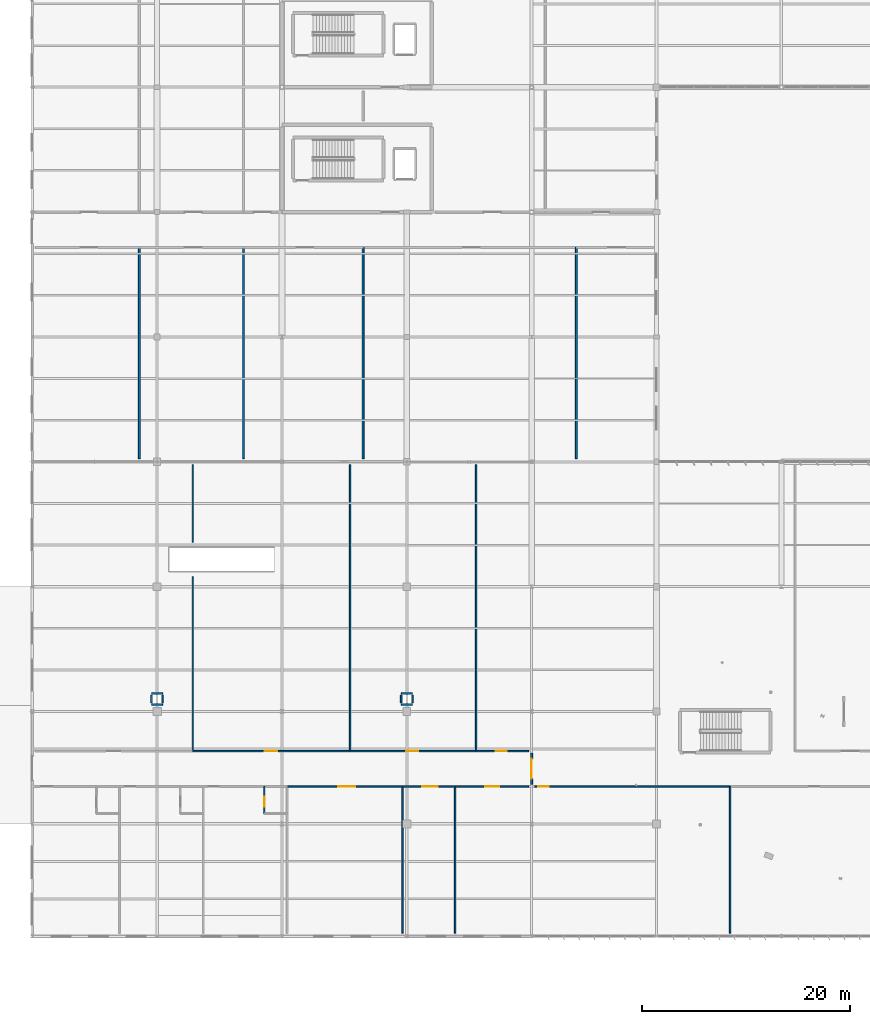
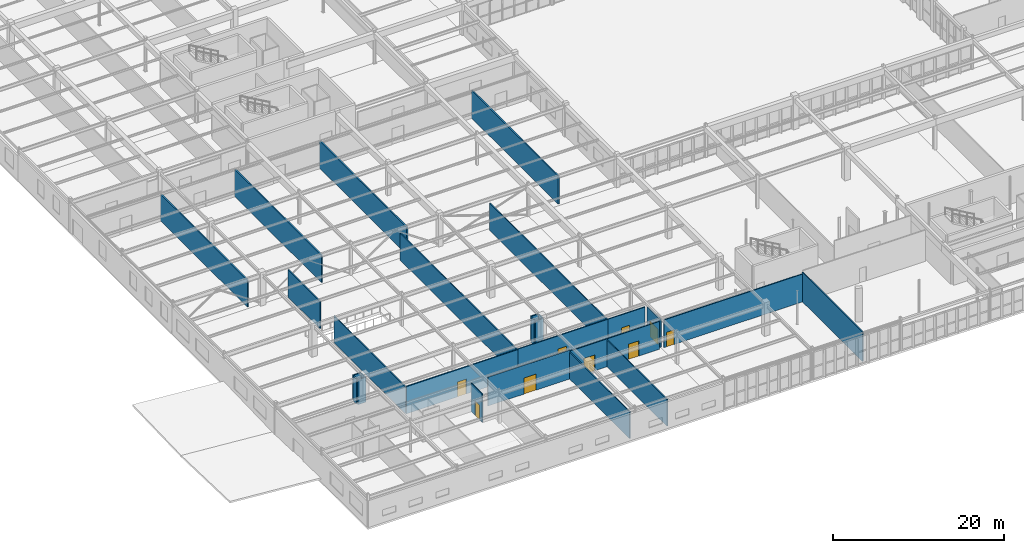
# One storey, part 160 of 199: 28 walls, 9 doors, 9 openings.
"""IFC4 building model written with IfcOpenShell, lengths in metres."""

from ifc_helpers import new_model, si_unit, direction, frame, frame_2d, origin, place, context, subcontext, project, spatial, rectangle, extrude, material, layer, layer_set, type_object, element, fill, save


model = new_model("IFC4")

# Units and contexts
model_context = context("Model", 3, precision=1e-05, world=origin(), true_north=direction((0.0, 1.0)))
body_context = subcontext(model_context, "Body", "Model", "MODEL_VIEW")
ifc_project = project(units=[si_unit("LENGTHUNIT", "METRE"), si_unit("AREAUNIT", "SQUARE_METRE"), si_unit("VOLUMEUNIT", "CUBIC_METRE"), si_unit("PLANEANGLEUNIT", "RADIAN"), si_unit("MASSUNIT", "GRAM", prefix="KILO")], contexts=[model_context])

# Site, building, storey
site_placement = place(None, origin())
site = spatial("IfcSite", under=ifc_project, at=site_placement, CompositionType="ELEMENT")
building_placement = place(site_placement, origin())
building = spatial("IfcBuilding", under=site, at=building_placement, Name="Tarnwether General Hospital", CompositionType="ELEMENT")
storey_placement = place(building_placement, origin())
storey = spatial("IfcBuildingStorey", under=building, at=storey_placement, Name="L00", CompositionType="ELEMENT", Elevation=0.0)

# Wall, opening, door
ifc_material_1 = material(Name="Gypsum plasterboard")
ifc_layer_1 = layer(ifc_material_1, 0.1201171875)
ifc_layer_set_1 = layer_set([ifc_layer_1], Name="Gypsum plasterboard")
wall_type_1 = type_object("IfcWallType", Name="WL-PT120", PredefinedType="PARTITIONING", material=ifc_layer_set_1)
wall_1_placement = place(storey_placement, frame((22.303955078125, 11.800048828125, 0.0), z_axis=(0.0, 0.0, 1.0), x_axis=(0.0, 1.0, 0.0)))
wall_1 = element("IfcWall", 1, at=wall_1_placement, inside=storey, type_object=wall_type_1, Name="Interior Partition PT-L00-0071", PredefinedType="PARTITIONING", context=body_context, shape_type="SweptSolid", body=[
    extrude(rectangle(XDim=2.599853515625, YDim=0.1201171875, at=frame_2d((1.2998046875, 0.0))), origin(), (0.0, 0.0, 1.0), 4.073974609375),
])
opening_1_placement = place(wall_1_placement, frame((0.64990234375, 0.0, 0.0)))
opening_1 = element("IfcOpeningElement", 2, at=opening_1_placement, cuts=wall_1, Name="Opening D-10", PredefinedType="OPENING", context=body_context, shape_type="SweptSolid", body=[
    extrude(rectangle(XDim=0.9599609375, YDim=2.06005859375, at=frame_2d((0.47998046875, 1.030029296875))), frame((0.0, 0.070068359375, 0.0), z_axis=(0.0, -1.0, 0.0), x_axis=(1.0, 0.0, 0.0)), (0.0, 0.0, 1.0), 0.14013671875),
])
ifc_material_2 = material(Name="Anodised aluminium", Category="aluminium")
door_type_1 = type_object("IfcDoorType", Name="DR-IN10", OperationType="NOTDEFINED", PredefinedType="DOOR", material=ifc_material_2)
door_1_placement = place(opening_1_placement, origin())
door_1 = element("IfcDoor", 3, at=door_1_placement, inside=storey, type_object=door_type_1, Name="Interior Door DR-L00-0041", OperationType="SINGLE_SWING_LEFT", OverallHeight=2.06005859375, OverallWidth=0.9599609375, PredefinedType="DOOR", context=body_context, shape_type="SweptSolid", body=[
    extrude(rectangle(XDim=0.9599609375, YDim=2.06005859375, at=frame_2d((0.47998046875, 1.030029296875))), frame((0.0, 0.02490234375, 0.0), z_axis=(0.0, -1.0, 0.0), x_axis=(1.0, 0.0, 0.0)), (0.0, 0.0, 1.0), 0.050048828125),
])
fill(opening_1, door_1)

ifc_material_3 = material(Name="Gypsum plasterboard")
ifc_layer_2 = layer(ifc_material_3, 0.139892578125)
ifc_layer_set_2 = layer_set([ifc_layer_2], Name="Gypsum plasterboard")
wall_type_2 = type_object("IfcWallType", Name="WL-PT140", PredefinedType="PARTITIONING", material=ifc_layer_set_2)
wall_2_placement = place(storey_placement, frame((24.50390625, 14.39990234375, 0.0), z_axis=(0.0, 0.0, 1.0), x_axis=(1.0, 0.0, 0.0)))
wall_2 = element("IfcWall", 4, at=wall_2_placement, inside=storey, type_object=wall_type_2, Name="Interior Partition PT-L00-0075", PredefinedType="PARTITIONING", context=body_context, shape_type="SweptSolid", body=[
    extrude(rectangle(XDim=11.093994140625, YDim=0.139892578125, at=frame_2d((5.546875, 0.0))), origin(), (0.0, 0.0, 1.0), 4.123046875),
])
opening_2_placement = place(wall_2_placement, frame((4.89697265625, 0.0, 0.0)))
opening_2 = element("IfcOpeningElement", 5, at=opening_2_placement, cuts=wall_2, Name="Opening SD-02", PredefinedType="OPENING", context=body_context, shape_type="SweptSolid", body=[
    extrude(rectangle(XDim=1.6201171875, YDim=2.300048828125, at=frame_2d((0.81005859375, 1.14990234375))), frame((0.0, 0.080078125, 0.0), z_axis=(0.0, -1.0, 0.0), x_axis=(1.0, 0.0, 0.0)), (0.0, 0.0, 1.0), 0.159912109375),
])
ifc_material_4 = material(Name="Anodised aluminium", Category="aluminium")
door_type_2 = type_object("IfcDoorType", Name="DR-OR02", OperationType="NOTDEFINED", PredefinedType="DOOR", material=ifc_material_4)
door_2_placement = place(opening_2_placement, origin())
door_2 = element("IfcDoor", 6, at=door_2_placement, inside=storey, type_object=door_type_2, Name="Interior Door DR-L00-0043", OperationType="SLIDING_TO_RIGHT", OverallHeight=2.300048828125, OverallWidth=1.6201171875, PredefinedType="DOOR", context=body_context, shape_type="SweptSolid", body=[
    extrude(rectangle(XDim=1.6201171875, YDim=2.300048828125, at=frame_2d((0.81005859375, 1.14990234375))), frame((0.0, 0.02490234375, 0.0), z_axis=(0.0, -1.0, 0.0), x_axis=(1.0, 0.0, 0.0)), (0.0, 0.0, 1.0), 0.050048828125),
])
fill(opening_2, door_2)

# Wall
wall_3_placement = place(storey_placement, frame((35.597900390625, 0.300048828125, 0.0), z_axis=(0.0, 0.0, 1.0), x_axis=(0.0, 1.0, 0.0)))
element("IfcWall", 7, at=wall_3_placement, inside=storey, type_object=wall_type_2, Name="Interior Partition PT-L00-0076", PredefinedType="PARTITIONING", context=body_context, shape_type="SweptSolid", body=[
    extrude(rectangle(XDim=14.099853515625, YDim=0.139892578125, at=frame_2d((7.0498046875, 0.0))), origin(), (0.0, 0.0, 1.0), 3.822998046875),
])

# Wall, opening, door
wall_4_placement = place(storey_placement, frame((35.597900390625, 14.39990234375, 0.0), z_axis=(0.0, 0.0, 1.0), x_axis=(1.0, 0.0, 0.0)))
wall_4 = element("IfcWall", 8, at=wall_4_placement, inside=storey, type_object=wall_type_2, Name="Interior Partition PT-L00-0077", PredefinedType="PARTITIONING", context=body_context, shape_type="SweptSolid", body=[
    extrude(rectangle(XDim=5.0419921875, YDim=0.139892578125, at=frame_2d((2.52099609375, 0.0))), origin(), (0.0, 0.0, 1.0), 3.969970703125),
])
opening_3_placement = place(wall_4_placement, frame((1.87109375, 0.0, 0.0)))
opening_3 = element("IfcOpeningElement", 9, at=opening_3_placement, cuts=wall_4, Name="Opening SD-03", PredefinedType="OPENING", context=body_context, shape_type="SweptSolid", body=[
    extrude(rectangle(XDim=1.47998046875, YDim=2.260009765625, at=frame_2d((0.739990234375, 1.1298828125))), frame((0.0, 0.080078125, 0.0), z_axis=(0.0, -1.0, 0.0), x_axis=(1.0, 0.0, 0.0)), (0.0, 0.0, 1.0), 0.159912109375),
])
ifc_material_5 = material(Name="Anodised aluminium", Category="aluminium")
door_type_3 = type_object("IfcDoorType", Name="DR-OR03", OperationType="NOTDEFINED", PredefinedType="DOOR", material=ifc_material_5)
door_3_placement = place(opening_3_placement, origin())
door_3 = element("IfcDoor", 10, at=door_3_placement, inside=storey, type_object=door_type_3, Name="Interior Door DR-L00-0044", OperationType="SLIDING_TO_LEFT", OverallHeight=2.260009765625, OverallWidth=1.47998046875, PredefinedType="DOOR", context=body_context, shape_type="SweptSolid", body=[
    extrude(rectangle(XDim=1.47998046875, YDim=2.260009765625, at=frame_2d((0.739990234375, 1.1298828125))), frame((0.0, 0.02490234375, 0.0), z_axis=(0.0, -1.0, 0.0), x_axis=(1.0, 0.0, 0.0)), (0.0, 0.0, 1.0), 0.050048828125),
])
fill(opening_3, door_3)

# Wall
wall_5_placement = place(storey_placement, frame((40.639892578125, 0.300048828125, 0.0), z_axis=(0.0, 0.0, 1.0), x_axis=(0.0, 1.0, 0.0)))
element("IfcWall", 11, at=wall_5_placement, inside=storey, type_object=wall_type_2, Name="Interior Partition PT-L00-0078", PredefinedType="PARTITIONING", context=body_context, shape_type="SweptSolid", body=[
    extrude(rectangle(XDim=14.099853515625, YDim=0.139892578125, at=frame_2d((7.0498046875, 0.0))), origin(), (0.0, 0.0, 1.0), 3.827880859375),
])

# Wall, opening, door
wall_6_placement = place(storey_placement, frame((40.639892578125, 14.39990234375, 0.0), z_axis=(0.0, 0.0, 1.0), x_axis=(1.0, 0.0, 0.0)))
wall_6 = element("IfcWall", 12, at=wall_6_placement, inside=storey, type_object=wall_type_2, Name="Interior Partition PT-L00-0079", PredefinedType="PARTITIONING", context=body_context, shape_type="SweptSolid", body=[
    extrude(rectangle(XDim=7.06005859375, YDim=0.139892578125, at=frame_2d((3.530029296875, 0.0))), origin(), (0.0, 0.0, 1.0), 3.972900390625),
])
opening_4_placement = place(wall_6_placement, frame((2.8798828125, 0.0, 0.0)))
opening_4 = element("IfcOpeningElement", 13, at=opening_4_placement, cuts=wall_6, Name="Opening D-02", PredefinedType="OPENING", context=body_context, shape_type="SweptSolid", body=[
    extrude(rectangle(XDim=1.360107421875, YDim=2.179931640625, at=frame_2d((0.68017578125, 1.08984375))), frame((0.0, 0.080078125, 0.0), z_axis=(0.0, -1.0, 0.0), x_axis=(1.0, 0.0, 0.0)), (0.0, 0.0, 1.0), 0.159912109375),
])
ifc_material_6 = material(Name="Anodised aluminium", Category="aluminium")
door_type_4 = type_object("IfcDoorType", Name="DR-IN02", OperationType="NOTDEFINED", PredefinedType="DOOR", material=ifc_material_6)
door_4_placement = place(opening_4_placement, origin())
door_4 = element("IfcDoor", 14, at=door_4_placement, inside=storey, type_object=door_type_4, Name="Interior Door DR-L00-0045", OperationType="SINGLE_SWING_LEFT", OverallHeight=2.179931640625, OverallWidth=1.360107421875, PredefinedType="DOOR", context=body_context, shape_type="SweptSolid", body=[
    extrude(rectangle(XDim=1.360107421875, YDim=2.179931640625, at=frame_2d((0.68017578125, 1.08984375))), frame((0.0, 0.02490234375, 0.0), z_axis=(0.0, -1.0, 0.0), x_axis=(1.0, 0.0, 0.0)), (0.0, 0.0, 1.0), 0.050048828125),
])
fill(opening_4, door_4)

# Walls
wall_7_placement = place(storey_placement, frame((15.427978515625, 17.800048828125, 0.0), z_axis=(0.0, 0.0, 1.0), x_axis=(0.0, 1.0, 0.0)))
element("IfcWall", 15, at=wall_7_placement, inside=storey, type_object=wall_type_2, Name="Interior Partition PT-L00-0081", PredefinedType="PARTITIONING", context=body_context, shape_type="SweptSolid", body=[
    extrude(rectangle(XDim=16.75, YDim=0.139892578125, at=frame_2d((8.375, 0.0))), origin(), (0.0, 0.0, 1.0), 3.822998046875),
])
wall_8_placement = place(storey_placement, frame((15.427978515625, 37.85009765625, 0.0), z_axis=(0.0, 0.0, 1.0), x_axis=(0.0, 1.0, 0.0)))
element("IfcWall", 16, at=wall_8_placement, inside=storey, type_object=wall_type_2, Name="Interior Partition PT-L00-0082", PredefinedType="PARTITIONING", context=body_context, shape_type="SweptSolid", body=[
    extrude(rectangle(XDim=7.449951171875, YDim=0.139892578125, at=frame_2d((3.72509765625, 0.0))), origin(), (0.0, 0.0, 1.0), 3.89697265625),
])

# Wall, opening, door
wall_9_placement = place(storey_placement, frame((15.427978515625, 17.800048828125, 0.0), z_axis=(0.0, 0.0, 1.0), x_axis=(1.0, 0.0, 0.0)))
wall_9 = element("IfcWall", 17, at=wall_9_placement, inside=storey, type_object=wall_type_2, Name="Interior Partition PT-L00-0083", PredefinedType="PARTITIONING", context=body_context, shape_type="SweptSolid", body=[
    extrude(rectangle(XDim=15.126953125, YDim=0.139892578125, at=frame_2d((7.5634765625, 0.0))), origin(), (0.0, 0.0, 1.0), 3.902099609375),
])
opening_5_placement = place(wall_9_placement, frame((6.9140625, 0.0, 0.0)))
opening_5 = element("IfcOpeningElement", 18, at=opening_5_placement, cuts=wall_9, Name="Opening D-05", PredefinedType="OPENING", context=body_context, shape_type="SweptSolid", body=[
    extrude(rectangle(XDim=1.199951171875, YDim=2.1201171875, at=frame_2d((0.60009765625, 1.06005859375))), frame((0.0, 0.080078125, 0.0), z_axis=(0.0, -1.0, 0.0), x_axis=(1.0, 0.0, 0.0)), (0.0, 0.0, 1.0), 0.159912109375),
])
ifc_material_7 = material(Name="Anodised aluminium", Category="aluminium")
door_type_5 = type_object("IfcDoorType", Name="DR-IN05", OperationType="NOTDEFINED", PredefinedType="DOOR", material=ifc_material_7)
door_5_placement = place(opening_5_placement, origin())
door_5 = element("IfcDoor", 19, at=door_5_placement, inside=storey, type_object=door_type_5, Name="Interior Door DR-L00-0047", OperationType="SINGLE_SWING_LEFT", OverallHeight=2.1201171875, OverallWidth=1.199951171875, PredefinedType="DOOR", context=body_context, shape_type="SweptSolid", body=[
    extrude(rectangle(XDim=1.199951171875, YDim=2.1201171875, at=frame_2d((0.60009765625, 1.06005859375))), frame((0.0, 0.02490234375, 0.0), z_axis=(0.0, -1.0, 0.0), x_axis=(1.0, 0.0, 0.0)), (0.0, 0.0, 1.0), 0.050048828125),
])
fill(opening_5, door_5)

# Wall
wall_10_placement = place(storey_placement, frame((30.554931640625, 17.800048828125, 0.0), z_axis=(0.0, 0.0, 1.0), x_axis=(0.0, 1.0, 0.0)))
element("IfcWall", 20, at=wall_10_placement, inside=storey, type_object=wall_type_2, Name="Interior Partition PT-L00-0084", PredefinedType="PARTITIONING", context=body_context, shape_type="SweptSolid", body=[
    extrude(rectangle(XDim=27.5, YDim=0.139892578125, at=frame_2d((13.75, 0.0))), origin(), (0.0, 0.0, 1.0), 3.827880859375),
])

# Wall, opening, door
wall_11_placement = place(storey_placement, frame((30.554931640625, 17.800048828125, 0.0), z_axis=(0.0, 0.0, 1.0), x_axis=(1.0, 0.0, 0.0)))
wall_11 = element("IfcWall", 21, at=wall_11_placement, inside=storey, type_object=wall_type_2, Name="Interior Partition PT-L00-0085", PredefinedType="PARTITIONING", context=body_context, shape_type="SweptSolid", body=[
    extrude(rectangle(XDim=12.10205078125, YDim=0.139892578125, at=frame_2d((6.051025390625, 0.0))), origin(), (0.0, 0.0, 1.0), 3.969970703125),
])
opening_6_placement = place(wall_11_placement, frame((5.40087890625, 0.0, 0.0)))
opening_6 = element("IfcOpeningElement", 22, at=opening_6_placement, cuts=wall_11, Name="Opening D-07", PredefinedType="OPENING", context=body_context, shape_type="SweptSolid", body=[
    extrude(rectangle(XDim=1.1201171875, YDim=2.080078125, at=frame_2d((0.56005859375, 1.0400390625))), frame((0.0, 0.080078125, 0.0), z_axis=(0.0, -1.0, 0.0), x_axis=(1.0, 0.0, 0.0)), (0.0, 0.0, 1.0), 0.159912109375),
])
ifc_material_8 = material(Name="Anodised aluminium", Category="aluminium")
door_type_6 = type_object("IfcDoorType", Name="DR-IN07", OperationType="NOTDEFINED", PredefinedType="DOOR", material=ifc_material_8)
door_6_placement = place(opening_6_placement, origin())
door_6 = element("IfcDoor", 23, at=door_6_placement, inside=storey, type_object=door_type_6, Name="Interior Door DR-L00-0048", OperationType="SINGLE_SWING_RIGHT", OverallHeight=2.080078125, OverallWidth=1.1201171875, PredefinedType="DOOR", context=body_context, shape_type="SweptSolid", body=[
    extrude(rectangle(XDim=1.1201171875, YDim=2.080078125, at=frame_2d((0.56005859375, 1.0400390625))), frame((0.0, 0.02490234375, 0.0), z_axis=(0.0, -1.0, 0.0), x_axis=(1.0, 0.0, 0.0)), (0.0, 0.0, 1.0), 0.050048828125),
])
fill(opening_6, door_6)

# Wall
wall_12_placement = place(storey_placement, frame((42.656982421875, 17.800048828125, 0.0), z_axis=(0.0, 0.0, 1.0), x_axis=(0.0, 1.0, 0.0)))
element("IfcWall", 24, at=wall_12_placement, inside=storey, type_object=wall_type_2, Name="Interior Partition PT-L00-0086", PredefinedType="PARTITIONING", context=body_context, shape_type="SweptSolid", body=[
    extrude(rectangle(XDim=27.5, YDim=0.139892578125, at=frame_2d((13.75, 0.0))), origin(), (0.0, 0.0, 1.0), 3.89697265625),
])

# Wall, opening, door
wall_13_placement = place(storey_placement, frame((42.656982421875, 17.800048828125, 0.0), z_axis=(0.0, 0.0, 1.0), x_axis=(1.0, 0.0, 0.0)))
wall_13 = element("IfcWall", 25, at=wall_13_placement, inside=storey, type_object=wall_type_2, Name="Interior Partition PT-L00-0087", PredefinedType="PARTITIONING", context=body_context, shape_type="SweptSolid", body=[
    extrude(rectangle(XDim=5.04296875, YDim=0.139892578125, at=frame_2d((2.521484375, 0.0))), origin(), (0.0, 0.0, 1.0), 3.972900390625),
])
opening_7_placement = place(wall_13_placement, frame((1.87109375, 0.0, 0.0)))
opening_7 = element("IfcOpeningElement", 26, at=opening_7_placement, cuts=wall_13, Name="Opening D-08", PredefinedType="OPENING", context=body_context, shape_type="SweptSolid", body=[
    extrude(rectangle(XDim=1.06005859375, YDim=2.10009765625, at=frame_2d((0.530029296875, 1.050048828125))), frame((0.0, 0.080078125, 0.0), z_axis=(0.0, -1.0, 0.0), x_axis=(1.0, 0.0, 0.0)), (0.0, 0.0, 1.0), 0.159912109375),
])
ifc_material_9 = material(Name="Anodised aluminium", Category="aluminium")
door_type_7 = type_object("IfcDoorType", Name="DR-IN08", OperationType="NOTDEFINED", PredefinedType="DOOR", material=ifc_material_9)
door_7_placement = place(opening_7_placement, origin())
door_7 = element("IfcDoor", 27, at=door_7_placement, inside=storey, type_object=door_type_7, Name="Interior Door DR-L00-0049", OperationType="SINGLE_SWING_LEFT", OverallHeight=2.10009765625, OverallWidth=1.06005859375, PredefinedType="DOOR", context=body_context, shape_type="SweptSolid", body=[
    extrude(rectangle(XDim=1.06005859375, YDim=2.10009765625, at=frame_2d((0.530029296875, 1.050048828125))), frame((0.0, 0.02490234375, 0.0), z_axis=(0.0, -1.0, 0.0), x_axis=(1.0, 0.0, 0.0)), (0.0, 0.0, 1.0), 0.050048828125),
])
fill(opening_7, door_7)

wall_14_placement = place(storey_placement, frame((48.300048828125, 14.39990234375, 0.0), z_axis=(0.0, 0.0, 1.0), x_axis=(1.0, 0.0, 0.0)))
wall_14 = element("IfcWall", 28, at=wall_14_placement, inside=storey, type_object=wall_type_2, Name="Interior Partition PT-L00-0108", PredefinedType="PARTITIONING", context=body_context, shape_type="SweptSolid", body=[
    extrude(rectangle(XDim=18.764892578125, YDim=0.139892578125, at=frame_2d((9.38232421875, 0.0))), origin(), (0.0, 0.0, 1.0), 3.972900390625),
])
opening_8_placement = place(wall_14_placement, frame((0.320068359375, 0.0, 0.0)))
opening_8 = element("IfcOpeningElement", 29, at=opening_8_placement, cuts=wall_14, Name="Opening D-09", PredefinedType="OPENING", context=body_context, shape_type="SweptSolid", body=[
    extrude(rectangle(XDim=1.02001953125, YDim=2.080078125, at=frame_2d((0.510009765625, 1.0400390625))), frame((0.0, 0.080078125, 0.0), z_axis=(0.0, -1.0, 0.0), x_axis=(1.0, 0.0, 0.0)), (0.0, 0.0, 1.0), 0.159912109375),
])
ifc_material_10 = material(Name="Anodised aluminium", Category="aluminium")
door_type_8 = type_object("IfcDoorType", Name="DR-IN09", OperationType="NOTDEFINED", PredefinedType="DOOR", material=ifc_material_10)
door_8_placement = place(opening_8_placement, origin())
door_8 = element("IfcDoor", 30, at=door_8_placement, inside=storey, type_object=door_type_8, Name="Interior Door DR-L00-0061", OperationType="SINGLE_SWING_LEFT", OverallHeight=2.080078125, OverallWidth=1.02001953125, PredefinedType="DOOR", context=body_context, shape_type="SweptSolid", body=[
    extrude(rectangle(XDim=1.02001953125, YDim=2.080078125, at=frame_2d((0.510009765625, 1.0400390625))), frame((0.0, 0.02490234375, 0.0), z_axis=(0.0, -1.0, 0.0), x_axis=(1.0, 0.0, 0.0)), (0.0, 0.0, 1.0), 0.050048828125),
])
fill(opening_8, door_8)

# Walls
wall_15_placement = place(storey_placement, frame((67.06494140625, 0.300048828125, 0.0), z_axis=(0.0, 0.0, 1.0), x_axis=(0.0, 1.0, 0.0)))
element("IfcWall", 31, at=wall_15_placement, inside=storey, type_object=wall_type_2, Name="Interior Partition PT-L00-0109", PredefinedType="PARTITIONING", context=body_context, shape_type="SweptSolid", body=[
    extrude(rectangle(XDim=14.099853515625, YDim=0.139892578125, at=frame_2d((7.0498046875, 0.0))), origin(), (0.0, 0.0, 1.0), 4.22802734375),
])
ifc_material_11 = material(Name="Gypsum plasterboard")
ifc_layer_3 = layer(ifc_material_11, 0.159912109375)
ifc_layer_set_3 = layer_set([ifc_layer_3], Name="Gypsum plasterboard")
wall_type_3 = type_object("IfcWallType", Name="WL-PT160", PredefinedType="PARTITIONING", material=ifc_layer_set_3)
for number, where, z_axis, x_axis, name in (
    (32, (11.469970703125, 22.27001953125, 0.0), (0.0, 0.0, 1.0), (1.0, 0.0, 0.0), "Service Riser Enclosure SL-L00-V2A S"),
    (33, (12.530029296875, 23.330078125, 0.0), (0.0, 0.0, 1.0), (-1.0, 0.0, 0.0), "Service Riser Enclosure SL-L00-V2A N"),
):
    element("IfcWall", number, at=place(storey_placement, frame(where, z_axis=z_axis, x_axis=x_axis)), inside=storey, type_object=wall_type_3, Name=name, PredefinedType="PARTITIONING", context=body_context, shape_type="SweptSolid", body=[
        extrude(rectangle(XDim=1.06005859375, YDim=0.159912109375, at=frame_2d((0.530029296875, 0.0))), origin(), (0.0, 0.0, 1.0), 3.550048828125),
    ])
for number, where, z_axis, x_axis, name in (
    (34, (11.469970703125, 23.169921875, 0.0), (0.0, 0.0, 1.0), (0.0, -1.0, 0.0), "Service Riser Enclosure SL-L00-V2A W"),
    (35, (12.530029296875, 22.429931640625, 0.0), (0.0, 0.0, 1.0), (0.0, 1.0, 0.0), "Service Riser Enclosure SL-L00-V2A E"),
):
    element("IfcWall", number, at=place(storey_placement, frame(where, z_axis=z_axis, x_axis=x_axis)), inside=storey, type_object=wall_type_3, Name=name, PredefinedType="PARTITIONING", context=body_context, shape_type="SweptSolid", body=[
        extrude(rectangle(XDim=0.739990234375, YDim=0.159912109375, at=frame_2d((0.3701171875, 0.0))), origin(), (0.0, 0.0, 1.0), 3.550048828125),
    ])
for number, where, z_axis, x_axis, name in (
    (36, (35.469970703125, 22.27001953125, 0.0), (0.0, 0.0, 1.0), (1.0, 0.0, 0.0), "Service Riser Enclosure SL-L00-V2B S"),
    (37, (36.530029296875, 23.330078125, 0.0), (0.0, 0.0, 1.0), (-1.0, 0.0, 0.0), "Service Riser Enclosure SL-L00-V2B N"),
):
    element("IfcWall", number, at=place(storey_placement, frame(where, z_axis=z_axis, x_axis=x_axis)), inside=storey, type_object=wall_type_3, Name=name, PredefinedType="PARTITIONING", context=body_context, shape_type="SweptSolid", body=[
        extrude(rectangle(XDim=1.06005859375, YDim=0.159912109375, at=frame_2d((0.530029296875, 0.0))), origin(), (0.0, 0.0, 1.0), 3.550048828125),
    ])
for number, where, z_axis, x_axis, name in (
    (38, (35.469970703125, 23.169921875, 0.0), (0.0, 0.0, 1.0), (0.0, -1.0, 0.0), "Service Riser Enclosure SL-L00-V2B W"),
    (39, (36.530029296875, 22.429931640625, 0.0), (0.0, 0.0, 1.0), (0.0, 1.0, 0.0), "Service Riser Enclosure SL-L00-V2B E"),
):
    element("IfcWall", number, at=place(storey_placement, frame(where, z_axis=z_axis, x_axis=x_axis)), inside=storey, type_object=wall_type_3, Name=name, PredefinedType="PARTITIONING", context=body_context, shape_type="SweptSolid", body=[
        extrude(rectangle(XDim=0.739990234375, YDim=0.159912109375, at=frame_2d((0.3701171875, 0.0))), origin(), (0.0, 0.0, 1.0), 3.550048828125),
    ])
ifc_material_12 = material(Name="Gypsum plasterboard")
ifc_layer_4 = layer(ifc_material_12, 0.179931640625)
ifc_layer_set_4 = layer_set([ifc_layer_4], Name="Gypsum plasterboard")
wall_type_4 = type_object("IfcWallType", Name="WL-PT180", PredefinedType="PARTITIONING", material=ifc_layer_set_4)
wall_16_placement = place(storey_placement, frame((10.300048828125, 45.89990234375, 0.0), z_axis=(0.0, 0.0, 1.0), x_axis=(0.0, 1.0, 0.0)))
element("IfcWall", 40, at=wall_16_placement, inside=storey, type_object=wall_type_4, Name="Interior Partition PT-L00-0089", PredefinedType="PARTITIONING", context=body_context, shape_type="SweptSolid", body=[
    extrude(rectangle(XDim=20.300048828125, YDim=0.179931640625, at=frame_2d((10.14990234375, 0.0))), origin(), (0.0, 0.0, 1.0), 3.827880859375),
])
wall_17_placement = place(storey_placement, frame((20.300048828125, 45.89990234375, 0.0), z_axis=(0.0, 0.0, 1.0), x_axis=(0.0, 1.0, 0.0)))
element("IfcWall", 41, at=wall_17_placement, inside=storey, type_object=wall_type_4, Name="Interior Partition PT-L00-0091", PredefinedType="PARTITIONING", context=body_context, shape_type="SweptSolid", body=[
    extrude(rectangle(XDim=20.300048828125, YDim=0.179931640625, at=frame_2d((10.14990234375, 0.0))), origin(), (0.0, 0.0, 1.0), 3.89697265625),
])
wall_18_placement = place(storey_placement, frame((31.800048828125, 45.89990234375, 0.0), z_axis=(0.0, 0.0, 1.0), x_axis=(0.0, 1.0, 0.0)))
element("IfcWall", 42, at=wall_18_placement, inside=storey, type_object=wall_type_4, Name="Interior Partition PT-L00-0093", PredefinedType="PARTITIONING", context=body_context, shape_type="SweptSolid", body=[
    extrude(rectangle(XDim=20.300048828125, YDim=0.179931640625, at=frame_2d((10.14990234375, 0.0))), origin(), (0.0, 0.0, 1.0), 3.902099609375),
])
wall_19_placement = place(storey_placement, frame((52.300048828125, 45.89990234375, 0.0), z_axis=(0.0, 0.0, 1.0), x_axis=(0.0, 1.0, 0.0)))
element("IfcWall", 43, at=wall_19_placement, inside=storey, type_object=wall_type_4, Name="Interior Partition PT-L00-0095", PredefinedType="PARTITIONING", context=body_context, shape_type="SweptSolid", body=[
    extrude(rectangle(XDim=20.300048828125, YDim=0.179931640625, at=frame_2d((10.14990234375, 0.0))), origin(), (0.0, 0.0, 1.0), 3.972900390625),
])

# Wall, opening, door
wall_20_placement = place(storey_placement, frame((48.0, 14.60009765625, 0.0), z_axis=(0.0, 0.0, 1.0), x_axis=(0.0, 1.0, 0.0)))
wall_20 = element("IfcWall", 44, at=wall_20_placement, inside=storey, type_object=wall_type_4, Name="Interior Partition PT-L00-0107", PredefinedType="PARTITIONING", context=body_context, shape_type="SweptSolid", body=[
    extrude(rectangle(XDim=3.0, YDim=0.179931640625, at=frame_2d((1.5, 0.0))), origin(), (0.0, 0.0, 1.0), 3.972900390625),
])
opening_9_placement = place(wall_20_placement, frame((0.550048828125, 0.0, 0.0)))
opening_9 = element("IfcOpeningElement", 45, at=opening_9_placement, cuts=wall_20, Name="Opening FD-08", PredefinedType="OPENING", context=body_context, shape_type="SweptSolid", body=[
    extrude(rectangle(XDim=1.89990234375, YDim=2.25, at=frame_2d((0.949951171875, 1.125))), frame((0.0, 0.10009765625, 0.0), z_axis=(0.0, -1.0, 0.0), x_axis=(1.0, 0.0, 0.0)), (0.0, 0.0, 1.0), 0.199951171875),
])
ifc_material_13 = material(Name="Anodised aluminium", Category="aluminium")
door_type_9 = type_object("IfcDoorType", Name="DR-FD08", OperationType="NOTDEFINED", PredefinedType="DOOR", material=ifc_material_13)
door_9_placement = place(opening_9_placement, origin())
door_9 = element("IfcDoor", 46, at=door_9_placement, inside=storey, type_object=door_type_9, Name="Interior Door DR-L00-0060", OperationType="DOUBLE_DOOR_SINGLE_SWING", OverallHeight=2.25, OverallWidth=1.89990234375, PredefinedType="DOOR", context=body_context, shape_type="SweptSolid", body=[
    extrude(rectangle(XDim=1.89990234375, YDim=2.25, at=frame_2d((0.949951171875, 1.125))), frame((0.0, 0.02490234375, 0.0), z_axis=(0.0, -1.0, 0.0), x_axis=(1.0, 0.0, 0.0)), (0.0, 0.0, 1.0), 0.050048828125),
])
fill(opening_9, door_9)

save(model, "model.ifc")
